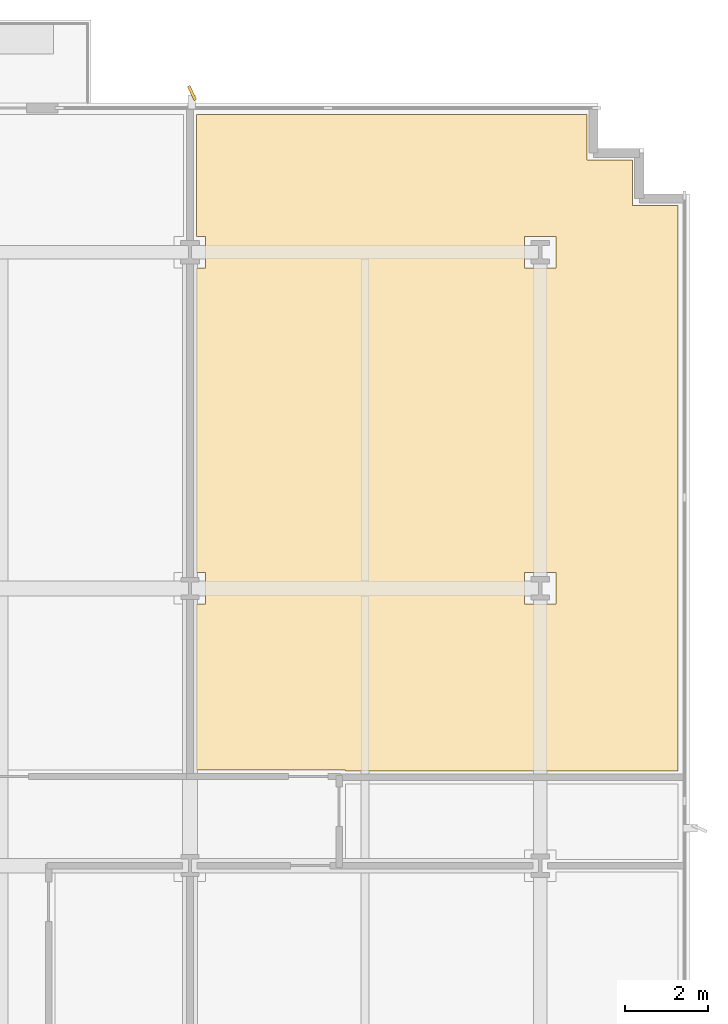
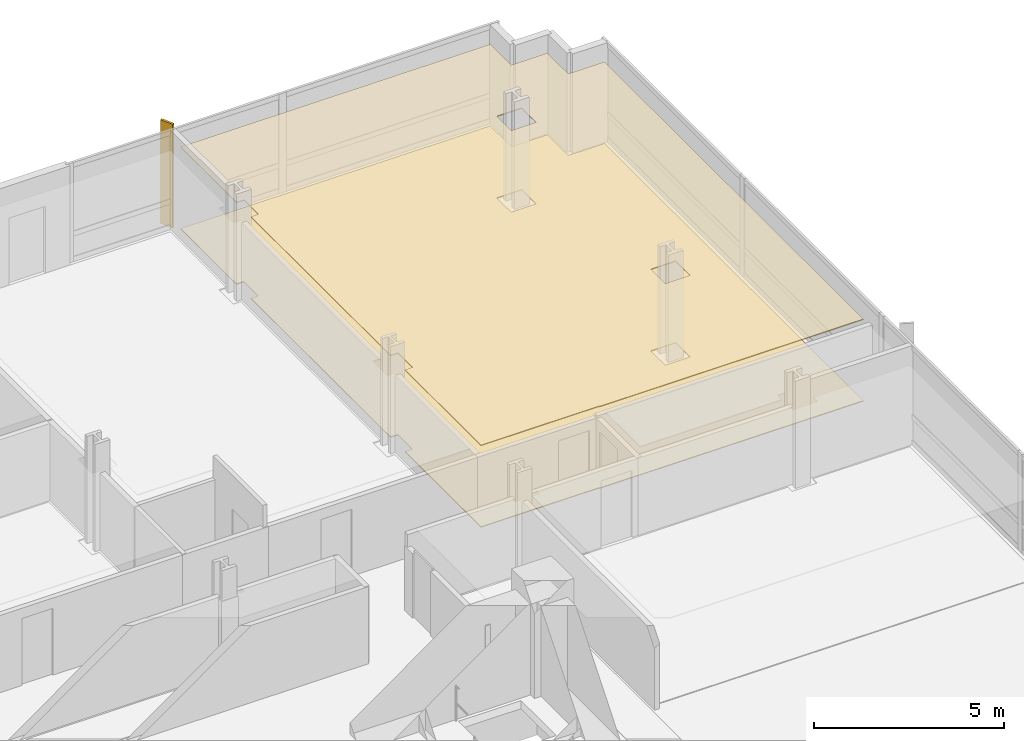
# One storey, part 15 of 16: 2 coverings, 1 shading device.
"""IFC4 building model written with IfcOpenShell, lengths in metres."""

from ifc_helpers import new_model, si_unit, direction, frame, origin, origin_2d, place, context, subcontext, project, spatial, polyline, rectangle, outline, extrude, material, layer, layer_set, type_object, element, save


model = new_model("IFC4")

# Units and contexts
model_context = context("Model", 3, precision=1e-05, world=origin(), true_north=direction((0.0, 1.0)))
body_context = subcontext(model_context, "Body", "Model", "MODEL_VIEW")
ifc_project = project(units=[si_unit("LENGTHUNIT", "METRE"), si_unit("AREAUNIT", "SQUARE_METRE"), si_unit("VOLUMEUNIT", "CUBIC_METRE"), si_unit("PLANEANGLEUNIT", "RADIAN"), si_unit("MASSUNIT", "GRAM", prefix="KILO")], contexts=[model_context])

# Site, building, storey
site_placement = place(None, origin())
site = spatial("IfcSite", under=ifc_project, at=site_placement, CompositionType="ELEMENT")
building_placement = place(site_placement, origin())
building = spatial("IfcBuilding", under=site, at=building_placement, Name="Solmavex Isthmus Hotel", CompositionType="ELEMENT")
storey_placement = place(building_placement, frame((0.0, 0.0, 36.75)))
storey = spatial("IfcBuildingStorey", under=building, at=storey_placement, Name="L09", CompositionType="ELEMENT", Elevation=36.75)

# Coverings
ifc_material_1 = material(Name="Gypsum plasterboard lining", Category="gypsum")
ifc_layer_1 = layer(ifc_material_1, 0.030029296875)
ifc_layer_set_1 = layer_set([ifc_layer_1], Name="Gypsum plasterboard lining")
covering_type_1 = type_object("IfcCoveringType", Name="COV-CEIL-GYP", PredefinedType="CEILING", material=ifc_layer_set_1)
covering_1_placement = place(storey_placement, frame((0.0, 0.0, 2.6201171875)))
element("IfcCovering", 1, at=covering_1_placement, inside=storey, type_object=covering_type_1, Name="Suspended Acoustic Ceiling L09-RM07", PredefinedType="CEILING", context=body_context, shape_type="SweptSolid", body=[
    extrude(outline(polyline([(18.10693359375, 9.16796875), (18.33203125, 9.16796875), (18.33203125, 8.407958984375), (18.10693359375, 8.407958984375), (18.10693359375, 4.405029296875), (21.70703125, 4.405029296875), (21.70703125, 4.385009765625), (29.72509765625, 4.385009765625), (29.72509765625, 18.02490234375), (28.625, 18.02490234375), (28.625, 19.125), (27.52490234375, 19.125), (27.52490234375, 20.22509765625), (18.10693359375, 20.22509765625), (18.10693359375, 17.280029296875), (18.33203125, 17.280029296875), (18.33203125, 16.52001953125), (18.10693359375, 16.52001953125), (18.10693359375, 9.16796875)]), holes=[polyline([(26.02001953125, 8.407958984375), (26.02001953125, 9.16796875), (26.780029296875, 9.16796875), (26.780029296875, 8.407958984375), (26.02001953125, 8.407958984375)]), polyline([(26.02001953125, 16.52001953125), (26.02001953125, 17.280029296875), (26.780029296875, 17.280029296875), (26.780029296875, 16.52001953125), (26.02001953125, 16.52001953125)])]), origin(), (0.0, 0.0, 1.0), 0.02978515625),
])
ifc_material_2 = material(Name="Travertine natural stone", Category="masonry")
ifc_layer_2 = layer(ifc_material_2, 0.02490234375)
ifc_layer_set_2 = layer_set([ifc_layer_2], Name="Travertine natural stone")
covering_type_2 = type_object("IfcCoveringType", Name="COV-FLOR-STN", PredefinedType="FLOORING", material=ifc_layer_set_2)
covering_2_placement = place(storey_placement, origin())
element("IfcCovering", 2, at=covering_2_placement, inside=storey, type_object=covering_type_2, Name="Stone and Timber Floor Finish L09-RM07", PredefinedType="FLOORING", context=body_context, shape_type="SweptSolid", body=[
    extrude(outline(polyline([(18.10693359375, 9.16796875), (18.33203125, 9.16796875), (18.33203125, 8.407958984375), (18.10693359375, 8.407958984375), (18.10693359375, 4.405029296875), (21.70703125, 4.405029296875), (21.70703125, 4.385009765625), (29.72509765625, 4.385009765625), (29.72509765625, 18.02490234375), (28.625, 18.02490234375), (28.625, 19.125), (27.52490234375, 19.125), (27.52490234375, 20.22509765625), (18.10693359375, 20.22509765625), (18.10693359375, 17.280029296875), (18.33203125, 17.280029296875), (18.33203125, 16.52001953125), (18.10693359375, 16.52001953125), (18.10693359375, 9.16796875)]), holes=[polyline([(26.02001953125, 8.407958984375), (26.02001953125, 9.16796875), (26.780029296875, 9.16796875), (26.780029296875, 8.407958984375), (26.02001953125, 8.407958984375)]), polyline([(26.02001953125, 16.52001953125), (26.02001953125, 17.280029296875), (26.780029296875, 17.280029296875), (26.780029296875, 16.52001953125), (26.02001953125, 16.52001953125)])]), origin(), (0.0, 0.0, 1.0), 0.02490234375),
])

# Shading device
ifc_material_3 = material(Name="Aluminium alloy 6063-T6", Category="aluminium")
shading_device_type = type_object("IfcShadingDeviceType", Name="SHD-FIN-CHAMP", PredefinedType="USERDEFINED", material=ifc_material_3)
shading_device_placement = place(storey_placement, frame((18.0, 20.739990234375, -0.14013671875), z_axis=(0.0, 0.0, 1.0), x_axis=(-0.438371146789, 0.898794046299, 0.0)))
element("IfcShadingDevice", 3, at=shading_device_placement, inside=storey, type_object=shading_device_type, Name="Anodised Aluminium Solar Fin L09-N5", ObjectType="SOLAR_FIN", PredefinedType="USERDEFINED", context=body_context, shape_type="SweptSolid", body=[
    extrude(rectangle(XDim=0.3798828125, YDim=0.070068359375, at=origin_2d()), origin(), (0.0, 0.0, 1.0), 3.330078125),
])

save(model, "model.ifc")
